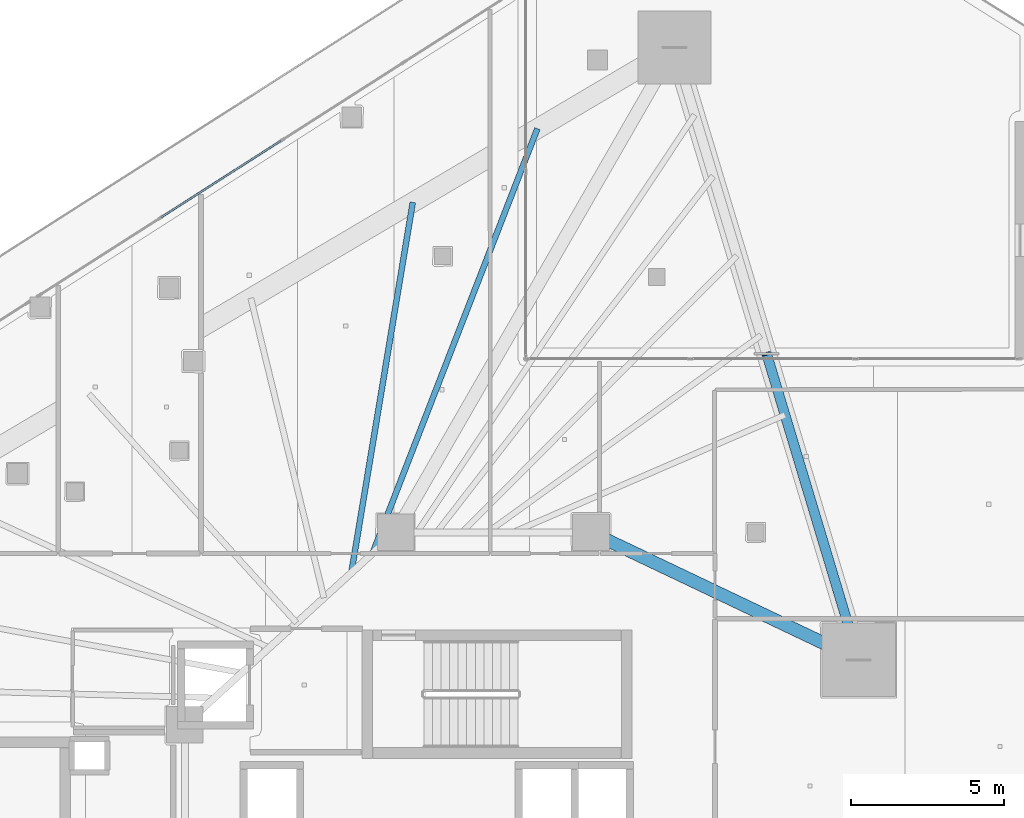
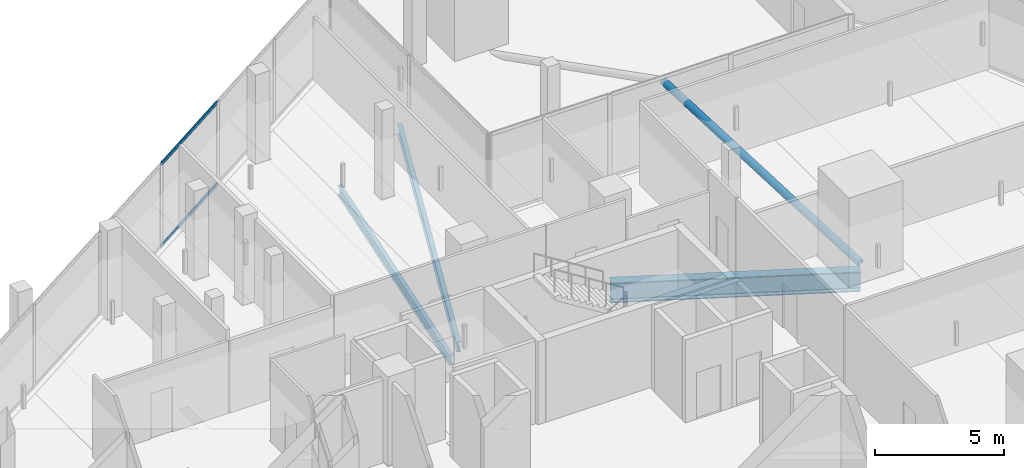
# One storey, part 21 of 47: 3 beams, 3 members, 1 element without a shape of its own.
"""IFC4 building model written with IfcOpenShell, lengths in metres."""

from ifc_helpers import new_model, si_unit, direction, frame, origin, origin_2d, place, context, subcontext, project, spatial, hollow_rectangle, hollow_circle, i_section, extrude, material, layer, layer_set, material_profile, profile_set, type_object, element, aggregate, save


model = new_model("IFC4")

# Units and contexts
model_context = context("Model", 3, precision=1e-05, world=origin(), true_north=direction((0.0, 1.0)))
body_context = subcontext(model_context, "Body", "Model", "MODEL_VIEW")
ifc_project = project(units=[si_unit("LENGTHUNIT", "METRE"), si_unit("AREAUNIT", "SQUARE_METRE"), si_unit("VOLUMEUNIT", "CUBIC_METRE"), si_unit("PLANEANGLEUNIT", "RADIAN"), si_unit("MASSUNIT", "GRAM", prefix="KILO")], contexts=[model_context])

# Site, building, storey
site_placement = place(None, origin())
site = spatial("IfcSite", under=ifc_project, at=site_placement, CompositionType="ELEMENT")
building_placement = place(site_placement, origin())
building = spatial("IfcBuilding", under=site, at=building_placement, Name="Qorvath Tower", CompositionType="ELEMENT")
storey_placement = place(building_placement, frame((0.0, 0.0, 82.800048828125)))
storey = spatial("IfcBuildingStorey", under=building, at=storey_placement, Name="L18", CompositionType="ELEMENT", Elevation=82.800048828125)

# Beams
ifc_material_1 = material(Name="Steel ASTM A992 Grade 50", Category="steel")
ifc_material_profile_1 = material_profile(ifc_material_1, i_section(OverallWidth=0.422119140625, OverallDepth=0.93310546875, WebThickness=0.021240234375, FlangeThickness=0.039794921875, FilletRadius=0.02392578125, at=origin_2d()), Name="W36x262")
ifc_profile_set_1 = profile_set([ifc_material_profile_1], Name="Steel ASTM A992 Grade 50")
beam_type_1 = type_object("IfcBeamType", Name="BM-FG1", PredefinedType="BEAM", material=ifc_profile_set_1)
beam_1_placement = place(storey_placement, frame((-17.199951171875, 11.449951171875, -0.74658203125), z_axis=(0.902955751435, -0.429733534821, 0.0), x_axis=(0.429733534821, 0.902955751435, 0.0)))
element("IfcBeam", 1, at=beam_1_placement, inside=storey, type_object=beam_type_1, Name="Radial Floor Girder CC2-MC5 L18", PredefinedType="BEAM", context=body_context, shape_type="SweptSolid", body=[
    extrude(i_section(OverallWidth=0.422119140625, OverallDepth=0.93310546875, WebThickness=0.021240234375, FlangeThickness=0.039794921875, FilletRadius=0.02392578125, at=origin_2d()), origin(), (0.0, 0.0, 1.0), 9.7119140625),
])
ifc_material_2 = material(Name="Steel ASTM A992 Grade 50", Category="steel")
ifc_material_profile_2 = material_profile(ifc_material_2, i_section(OverallWidth=0.18994140625, OverallDepth=0.45703125, WebThickness=0.009033203125, FlangeThickness=0.014404296875, FilletRadius=0.011962890625, at=origin_2d()), Name="W18x50")
ifc_profile_set_2 = profile_set([ifc_material_profile_2], Name="Steel ASTM A992 Grade 50")
beam_type_2 = type_object("IfcBeamType", Name="BM-FJ2", PredefinedType="JOIST", material=ifc_profile_set_2)
beam_2_placement = place(storey_placement, frame((-25.049072265625, 10.126953125, -0.508544921875), z_axis=(0.163639384475, 0.98652022374, 0.0), x_axis=(-0.98652022374, 0.163639384475, 0.0)))
element("IfcBeam", 2, at=beam_2_placement, inside=storey, type_object=beam_type_2, Name="Composite Floor Joist NW6 L18", PredefinedType="JOIST", context=body_context, shape_type="SweptSolid", body=[
    extrude(i_section(OverallWidth=0.18994140625, OverallDepth=0.45703125, WebThickness=0.009033203125, FlangeThickness=0.014404296875, FilletRadius=0.011962890625, at=origin_2d()), origin(), (0.0, 0.0, 1.0), 12.301025390625),
])
beam_3_placement = place(storey_placement, frame((-24.35888671875, 10.757080078125, -0.508544921875), z_axis=(0.361964096586, 0.93219203643, 0.0), x_axis=(-0.93219203643, 0.361964096586, 0.0)))
element("IfcBeam", 3, at=beam_3_placement, inside=storey, type_object=beam_type_2, Name="Composite Floor Joist NW7 L18", PredefinedType="JOIST", context=body_context, shape_type="SweptSolid", body=[
    extrude(i_section(OverallWidth=0.18994140625, OverallDepth=0.45703125, WebThickness=0.009033203125, FlangeThickness=0.014404296875, FilletRadius=0.011962890625, at=origin_2d()), origin(), (0.0, 0.0, 1.0), 14.93115234375),
])

# Curtain wall, members
ifc_material_3 = material(Name="Anodised aluminium and triple low-E glass", Category="aluminium")
ifc_layer = layer(ifc_material_3, 0.179931640625)
ifc_layer_set = layer_set([ifc_layer], Name="CW-SYS-5")
curtain_wall_type = type_object("IfcCurtainWallType", Name="CW-SYS-5", PredefinedType="NOTDEFINED", material=ifc_layer_set)
curtain_wall_placement = place(storey_placement, origin())
curtain_wall = element("IfcCurtainWall", 4, at=curtain_wall_placement, inside=storey, type_object=curtain_wall_type, Name="Curtain Wall CW-5 CW-T-L18-4.1", PredefinedType="NOTDEFINED")
ifc_material_4 = material(Name="Anodised aluminium 6063-T6", Category="aluminium")
ifc_material_profile_3 = material_profile(ifc_material_4, hollow_rectangle(XDim=0.06494140625, YDim=0.159912109375, WallThickness=0.00341796875, InnerFilletRadius=0.00341796875, OuterFilletRadius=0.007080078125, at=origin_2d()), Name="CWT 160x65")
ifc_profile_set_3 = profile_set([ifc_material_profile_3], Name="Anodised aluminium 6063-T6")
member_type_1 = type_object("IfcMemberType", Name="CWT-160", PredefinedType="USERDEFINED", material=ifc_profile_set_3)
member_1_placement = place(storey_placement, frame((-27.3515625, 24.281982421875, 0.032470703125), z_axis=(-0.842577460955, -0.538575177938, 0.0), x_axis=(0.538575177938, -0.842577460955, 0.0)))
member_1 = element("IfcMember", 5, at=member_1_placement, type_object=member_type_1, Name="CW-5 transom 3.1", ObjectType="TRANSOM", PredefinedType="USERDEFINED", context=body_context, shape_type="SweptSolid", body=[
    extrude(hollow_rectangle(XDim=0.06494140625, YDim=0.159912109375, WallThickness=0.00341796875, InnerFilletRadius=0.00341796875, OuterFilletRadius=0.007080078125, at=origin_2d()), origin(), (0.0, 0.0, 1.0), 4.662841796875),
])
member_2_placement = place(storey_placement, frame((-27.3515625, 24.281982421875, 3.887451171875), z_axis=(-0.842577460955, -0.538575177938, 0.0), x_axis=(0.538575177938, -0.842577460955, 0.0)))
member_2 = element("IfcMember", 6, at=member_2_placement, type_object=member_type_1, Name="CW-5 transom 3.2", ObjectType="TRANSOM", PredefinedType="USERDEFINED", context=body_context, shape_type="SweptSolid", body=[
    extrude(hollow_rectangle(XDim=0.06494140625, YDim=0.159912109375, WallThickness=0.00341796875, InnerFilletRadius=0.00341796875, OuterFilletRadius=0.007080078125, at=origin_2d()), origin(), (0.0, 0.0, 1.0), 4.662841796875),
])
aggregate(curtain_wall, [member_1, member_2])

# Member
ifc_material_5 = material(Name="Steel ASTM A500 Grade C", Category="steel")
ifc_material_profile_4 = material_profile(ifc_material_5, hollow_circle(Radius=0.161865234375, WallThickness=0.0126953125, at=origin_2d()), Name="CHS 324x12.7")
ifc_profile_set_4 = profile_set([ifc_material_profile_4], Name="Steel ASTM A500 Grade C")
member_type_2 = type_object("IfcMemberType", Name="MEM-ST1", PredefinedType="STRUT", material=ifc_profile_set_4)
member_3_placement = place(storey_placement, frame((-8.430419921875, 7.2763671875, 0.0), z_axis=(-0.272697443764, 0.906365356706, 0.322704112661), x_axis=(-0.957596888546, -0.288111435119, 0.0)))
element("IfcMember", 7, at=member_3_placement, inside=storey, type_object=member_type_2, Name="Sky Garden Corner Strut L18-A", PredefinedType="STRUT", context=body_context, shape_type="SweptSolid", body=[
    extrude(hollow_circle(Radius=0.161865234375, WallThickness=0.0126953125, at=origin_2d()), origin(), (0.0, 0.0, 1.0), 11.06298828125),
])

save(model, "model.ifc")
